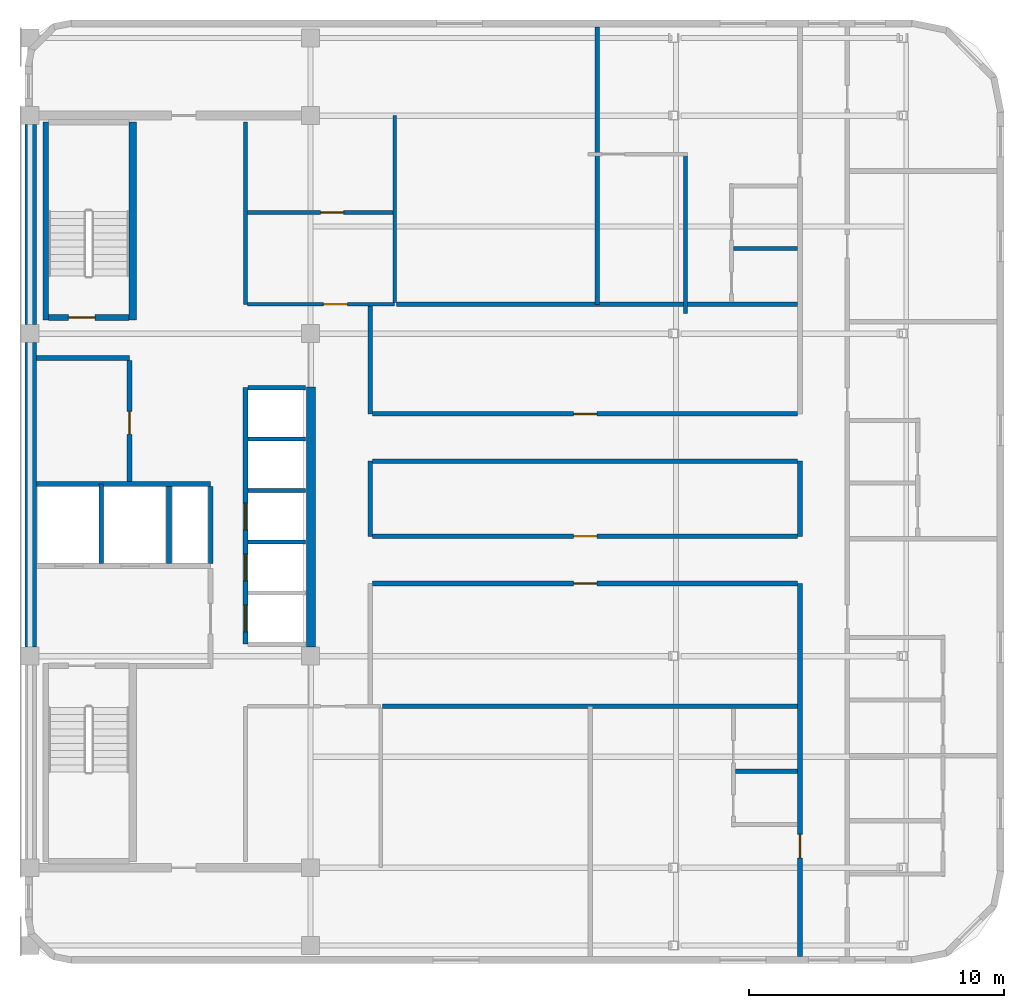
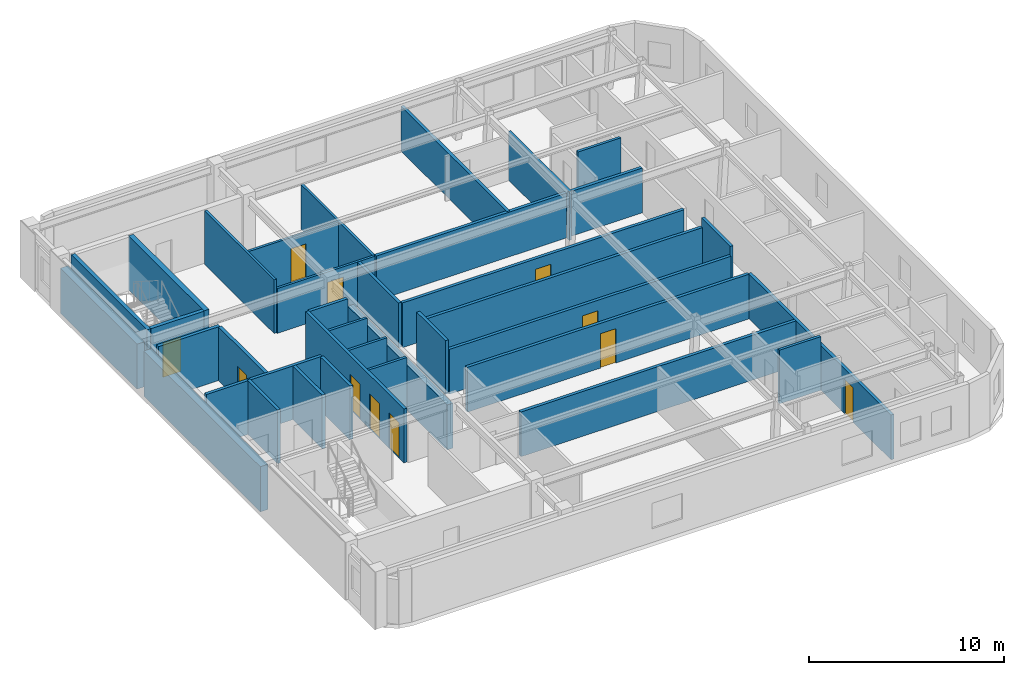
# One storey, part 3 of 6: 35 walls, 11 doors, 11 openings.
"""IFC4 building model written with IfcOpenShell, lengths in metres."""

from ifc_helpers import new_model, si_unit, direction, frame, frame_2d, origin, place, context, subcontext, project, spatial, rectangle, extrude, material, layer, layer_set, type_object, element, fill, save


model = new_model("IFC4")

# Units and contexts
model_context = context("Model", 3, precision=1e-05, world=origin(), true_north=direction((0.0, 1.0)))
body_context = subcontext(model_context, "Body", "Model", "MODEL_VIEW")
ifc_project = project(units=[si_unit("LENGTHUNIT", "METRE"), si_unit("AREAUNIT", "SQUARE_METRE"), si_unit("VOLUMEUNIT", "CUBIC_METRE"), si_unit("PLANEANGLEUNIT", "RADIAN"), si_unit("MASSUNIT", "GRAM", prefix="KILO")], contexts=[model_context])

# Site, building, storey
site_placement = place(None, origin())
site = spatial("IfcSite", under=ifc_project, at=site_placement, CompositionType="ELEMENT")
building_placement = place(site_placement, origin())
building = spatial("IfcBuilding", under=site, at=building_placement, Name="Ochreholt Gables", CompositionType="ELEMENT")
storey_placement = place(building_placement, frame((0.0, 0.0, 271.199951171875)))
storey = spatial("IfcBuildingStorey", under=building, at=storey_placement, Name="L71", CompositionType="ELEMENT", Elevation=271.199951171875)

# Walls
ifc_material_1 = material(Name="Concrete 50 MPa", Category="concrete")
ifc_layer_1 = layer(ifc_material_1, 0.35009765625, Name="Concrete 50 MPa")
ifc_layer_set_1 = layer_set([ifc_layer_1], Name="Concrete 50 MPa")
wall_type_1 = type_object("IfcWallType", Name="WALL-CSW-350", PredefinedType="SHEAR", material=ifc_layer_set_1)
wall_1_placement = place(storey_placement, frame((35.22509765625, 17.89990234375, 0.0), z_axis=(0.0, 0.0, 1.0), x_axis=(0.0, 1.0, 0.0)))
element("IfcWall", 1, at=wall_1_placement, inside=storey, type_object=wall_type_1, Name="L71 Core Central-East Shear Wall", PredefinedType="SHEAR", context=body_context, shape_type="SweptSolid", body=[
    extrude(rectangle(XDim=10.2001953125, YDim=0.35009765625, at=frame_2d((5.10009765625, 0.0))), origin(), (0.0, 0.0, 1.0), 2.821044921875),
])
ifc_layer_2 = layer(ifc_material_1, 0.449951171875, Name="Concrete 50 MPa")
ifc_layer_set_2 = layer_set([ifc_layer_2], Name="Concrete 50 MPa")
wall_type_2 = type_object("IfcWallType", Name="WALL-CSW-EXT", PredefinedType="SHEAR", material=ifc_layer_set_2)
wall_2_placement = place(storey_placement, frame((24.22509765625, 17.89990234375, 0.0), z_axis=(0.0, 0.0, 1.0), x_axis=(0.0, 1.0, 0.0)))
element("IfcWall", 2, at=wall_2_placement, inside=storey, type_object=wall_type_2, Name="L71 Core West Shear Wall WM", PredefinedType="SHEAR", context=body_context, shape_type="SweptSolid", body=[
    extrude(rectangle(XDim=11.9501953125, YDim=0.449951171875, at=frame_2d((5.97509765625, 0.0))), origin(), (0.0, 0.0, 1.0), 2.821044921875),
])
wall_3_placement = place(storey_placement, frame((24.22509765625, 30.550048828125, 0.0), z_axis=(0.0, 0.0, 1.0), x_axis=(0.0, 1.0, 0.0)))
element("IfcWall", 3, at=wall_3_placement, inside=storey, type_object=wall_type_2, Name="L71 Core West Shear Wall WN", PredefinedType="SHEAR", context=body_context, shape_type="SweptSolid", body=[
    extrude(rectangle(XDim=7.849853515625, YDim=0.449951171875, at=frame_2d((3.9248046875, 0.0))), origin(), (0.0, 0.0, 1.0), 2.821044921875),
])
ifc_material_2 = material(Name="Concrete 40 MPa", Category="concrete")
ifc_layer_3 = layer(ifc_material_2, 0.199951171875, Name="Concrete 40 MPa")
ifc_layer_set_3 = layer_set([ifc_layer_3], Name="Concrete 40 MPa")
wall_type_3 = type_object("IfcWallType", Name="WALL-INT-CF200", PredefinedType="STANDARD", material=ifc_layer_set_3)
wall_4_placement = place(storey_placement, frame((24.449951171875, 29.239990234375, 0.0), z_axis=(0.0, 0.0, 1.0), x_axis=(1.0, 0.0, 0.0)))
element("IfcWall", 4, at=wall_4_placement, inside=storey, type_object=wall_type_3, Name="L71 Interior Wall WI-SRVN-L71", PredefinedType="STANDARD", context=body_context, shape_type="SweptSolid", body=[
    extrude(rectangle(XDim=3.650146484375, YDim=0.199951171875, at=frame_2d((1.8251953125, 0.0))), origin(), (0.0, 0.0, 1.0), 3.360107421875),
])

# Wall, opening, door
wall_5_placement = place(storey_placement, frame((28.10009765625, 24.389892578125, 0.0), z_axis=(0.0, 0.0, 1.0), x_axis=(0.0, 1.0, 0.0)))
wall_5 = element("IfcWall", 5, at=wall_5_placement, inside=storey, type_object=wall_type_3, Name="L71 Interior Wall WI-SRVE-L71", PredefinedType="STANDARD", context=body_context, shape_type="SweptSolid", body=[
    extrude(rectangle(XDim=4.75, YDim=0.199951171875, at=frame_2d((2.375, 0.0))), origin(), (0.0, 0.0, 1.0), 3.360107421875),
])
opening_1_placement = place(wall_5_placement, frame((1.860107421875, 0.0, 0.0)))
opening_1 = element("IfcOpeningElement", 6, at=opening_1_placement, cuts=wall_5, Name="Opening D-SV1", PredefinedType="OPENING", context=body_context, shape_type="SweptSolid", body=[
    extrude(rectangle(XDim=0.89990234375, YDim=2.10009765625, at=frame_2d((0.449951171875, 1.050048828125))), frame((0.0, 0.10986328125, 0.0), z_axis=(0.0, -1.0, 0.0), x_axis=(1.0, 0.0, 0.0)), (0.0, 0.0, 1.0), 0.219970703125),
])
ifc_material_3 = material(Name="Hollow Metal Steel", Category="steel")
door_type_1 = type_object("IfcDoorType", Name="DR-INT-SRV900", OperationType="NOTDEFINED", PredefinedType="DOOR", material=ifc_material_3)
door_1_placement = place(opening_1_placement, origin())
door_1 = element("IfcDoor", 7, at=door_1_placement, inside=storey, type_object=door_type_1, Name="L71 Door D-SRV1-L71", OperationType="SINGLE_SWING_LEFT", OverallHeight=2.10009765625, OverallWidth=0.89990234375, PredefinedType="DOOR", context=body_context, shape_type="SweptSolid", body=[
    extrude(rectangle(XDim=0.89990234375, YDim=2.10009765625, at=frame_2d((0.449951171875, 1.050048828125))), frame((0.0, 0.02490234375, 0.0), z_axis=(0.0, -1.0, 0.0), x_axis=(1.0, 0.0, 0.0)), (0.0, 0.0, 1.0), 0.050048828125),
])
fill(opening_1, door_1)

# Walls
ifc_material_4 = material(Name="Fire-Rated Gypsum Acoustic Partition", Category="gypsum")
ifc_layer_4 = layer(ifc_material_4, 0.179931640625, Name="Fire-Rated Gypsum Acoustic Partition")
ifc_layer_set_4 = layer_set([ifc_layer_4], Name="Fire-Rated Gypsum Acoustic Partition")
wall_type_4 = type_object("IfcWallType", Name="WALL-INT-CR180", PredefinedType="STANDARD", material=ifc_layer_set_4)
wall_6_placement = place(storey_placement, frame((37.550048828125, 22.25, 0.0), z_axis=(0.0, 0.0, 1.0), x_axis=(0.0, 1.0, 0.0)))
element("IfcWall", 8, at=wall_6_placement, inside=storey, type_object=wall_type_4, Name="L71 Interior Wall WI-C3CE2-L71", PredefinedType="STANDARD", context=body_context, shape_type="SweptSolid", body=[
    extrude(rectangle(XDim=2.949951171875, YDim=0.179931640625, at=frame_2d((1.47509765625, 0.0))), origin(), (0.0, 0.0, 1.0), 3.360107421875),
])
wall_7_placement = place(storey_placement, frame((37.550048828125, 27.050048828125, 0.0), z_axis=(0.0, 0.0, 1.0), x_axis=(0.0, 1.0, 0.0)))
element("IfcWall", 9, at=wall_7_placement, inside=storey, type_object=wall_type_4, Name="L71 Interior Wall WI-C3CE4-L71", PredefinedType="STANDARD", context=body_context, shape_type="SweptSolid", body=[
    extrude(rectangle(XDim=4.2275390625, YDim=0.179931640625, at=frame_2d((2.11376953125, 0.0))), origin(), (0.0, 0.0, 1.0), 2.802978515625),
])

# Wall, opening, door
wall_8_placement = place(storey_placement, frame((54.39990234375, 5.77001953125, 0.0), z_axis=(0.0, 0.0, 1.0), x_axis=(0.0, 1.0, 0.0)))
wall_8 = element("IfcWall", 10, at=wall_8_placement, inside=storey, type_object=wall_type_4, Name="L71 Interior Wall WI-C3GW0-L71", PredefinedType="STANDARD", context=body_context, shape_type="SweptSolid", body=[
    extrude(rectangle(XDim=14.6298828125, YDim=0.179931640625, at=frame_2d((7.31494140625, 0.0))), origin(), (0.0, 0.0, 1.0), 2.802978515625),
])
opening_2_placement = place(wall_8_placement, frame((3.8701171875, 0.0, 0.0)))
opening_2 = element("IfcOpeningElement", 11, at=opening_2_placement, cuts=wall_8, Name="Opening D-UN1", PredefinedType="OPENING", context=body_context, shape_type="SweptSolid", body=[
    extrude(rectangle(XDim=0.919921875, YDim=2.14990234375, at=frame_2d((0.4599609375, 1.074951171875))), frame((0.0, 0.099853515625, 0.0), z_axis=(0.0, -1.0, 0.0), x_axis=(1.0, 0.0, 0.0)), (0.0, 0.0, 1.0), 0.199951171875),
])
ifc_material_5 = material(Name="Engineered Oak Timber", Category="wood")
door_type_2 = type_object("IfcDoorType", Name="DR-INT-UNT920", OperationType="NOTDEFINED", PredefinedType="DOOR", material=ifc_material_5)
door_2_placement = place(opening_2_placement, origin())
door_2 = element("IfcDoor", 12, at=door_2_placement, inside=storey, type_object=door_type_2, Name="L71 Door D-U-L71SM1-ENT", OperationType="SINGLE_SWING_LEFT", OverallHeight=2.14990234375, OverallWidth=0.919921875, PredefinedType="DOOR", context=body_context, shape_type="SweptSolid", body=[
    extrude(rectangle(XDim=0.919921875, YDim=2.14990234375, at=frame_2d((0.4599609375, 1.074951171875))), frame((0.0, 0.02490234375, 0.0), z_axis=(0.0, -1.0, 0.0), x_axis=(1.0, 0.0, 0.0)), (0.0, 0.0, 1.0), 0.050048828125),
])
fill(opening_2, door_2)

# Wall
wall_9_placement = place(storey_placement, frame((54.39990234375, 22.25, 0.0), z_axis=(0.0, 0.0, 1.0), x_axis=(0.0, 1.0, 0.0)))
element("IfcWall", 13, at=wall_9_placement, inside=storey, type_object=wall_type_4, Name="L71 Interior Wall WI-C3GW2-L71", PredefinedType="STANDARD", context=body_context, shape_type="SweptSolid", body=[
    extrude(rectangle(XDim=2.949951171875, YDim=0.179931640625, at=frame_2d((1.47509765625, 0.0))), origin(), (0.0, 0.0, 1.0), 3.360107421875),
])

# Wall, opening, door
wall_10_placement = place(storey_placement, frame((37.639892578125, 20.39990234375, 0.0), z_axis=(0.0, 0.0, 1.0), x_axis=(1.0, 0.0, 0.0)))
wall_10 = element("IfcWall", 14, at=wall_10_placement, inside=storey, type_object=wall_type_4, Name="L71 Interior Wall WI-C3BRS1-L71", PredefinedType="STANDARD", context=body_context, shape_type="SweptSolid", body=[
    extrude(rectangle(XDim=16.670166015625, YDim=0.179931640625, at=frame_2d((8.3349609375, 0.0))), origin(), (0.0, 0.0, 1.0), 2.802978515625),
])
opening_3_placement = place(wall_10_placement, frame((7.875, 0.0, 0.0)))
opening_3 = element("IfcOpeningElement", 15, at=opening_3_placement, cuts=wall_10, Name="Opening D-UN1", PredefinedType="OPENING", context=body_context, shape_type="SweptSolid", body=[
    extrude(rectangle(XDim=0.919921875, YDim=2.14990234375, at=frame_2d((0.4599609375, 1.074951171875))), frame((0.0, 0.099853515625, 0.0), z_axis=(0.0, -1.0, 0.0), x_axis=(1.0, 0.0, 0.0)), (0.0, 0.0, 1.0), 0.199951171875),
])
door_3_placement = place(opening_3_placement, origin())
door_3 = element("IfcDoor", 16, at=door_3_placement, inside=storey, type_object=door_type_2, Name="L71 Door D-U-L71SM2-ENT", OperationType="SINGLE_SWING_LEFT", OverallHeight=2.14990234375, OverallWidth=0.919921875, PredefinedType="DOOR", context=body_context, shape_type="SweptSolid", body=[
    extrude(rectangle(XDim=0.919921875, YDim=2.14990234375, at=frame_2d((0.4599609375, 1.074951171875))), frame((0.0, 0.02490234375, 0.0), z_axis=(0.0, -1.0, 0.0), x_axis=(1.0, 0.0, 0.0)), (0.0, 0.0, 1.0), 0.050048828125),
])
fill(opening_3, door_3)

wall_11_placement = place(storey_placement, frame((37.639892578125, 22.25, 0.0), z_axis=(0.0, 0.0, 1.0), x_axis=(1.0, 0.0, 0.0)))
wall_11 = element("IfcWall", 17, at=wall_11_placement, inside=storey, type_object=wall_type_4, Name="L71 Interior Wall WI-C3BRN1-L71", PredefinedType="STANDARD", context=body_context, shape_type="SweptSolid", body=[
    extrude(rectangle(XDim=16.670166015625, YDim=0.179931640625, at=frame_2d((8.3349609375, 0.0))), origin(), (0.0, 0.0, 1.0), 2.802978515625),
])
opening_4_placement = place(wall_11_placement, frame((7.875, 0.0, 0.0)))
opening_4 = element("IfcOpeningElement", 18, at=opening_4_placement, cuts=wall_11, Name="Opening D-UN1", PredefinedType="OPENING", context=body_context, shape_type="SweptSolid", body=[
    extrude(rectangle(XDim=0.919921875, YDim=2.14990234375, at=frame_2d((0.4599609375, 1.074951171875))), frame((0.0, 0.099853515625, 0.0), z_axis=(0.0, -1.0, 0.0), x_axis=(1.0, 0.0, 0.0)), (0.0, 0.0, 1.0), 0.199951171875),
])
door_4_placement = place(opening_4_placement, origin())
door_4 = element("IfcDoor", 19, at=door_4_placement, inside=storey, type_object=door_type_2, Name="L71 Door D-U-L71MC1-ENT", OperationType="SINGLE_SWING_LEFT", OverallHeight=2.14990234375, OverallWidth=0.919921875, PredefinedType="DOOR", context=body_context, shape_type="SweptSolid", body=[
    extrude(rectangle(XDim=0.919921875, YDim=2.14990234375, at=frame_2d((0.4599609375, 1.074951171875))), frame((0.0, 0.02490234375, 0.0), z_axis=(0.0, -1.0, 0.0), x_axis=(1.0, 0.0, 0.0)), (0.0, 0.0, 1.0), 0.050048828125),
])
fill(opening_4, door_4)

# Wall
wall_12_placement = place(storey_placement, frame((37.639892578125, 25.199951171875, 0.0), z_axis=(0.0, 0.0, 1.0), x_axis=(1.0, 0.0, 0.0)))
element("IfcWall", 20, at=wall_12_placement, inside=storey, type_object=wall_type_4, Name="L71 Interior Wall WI-C3BRS2-L71", PredefinedType="STANDARD", context=body_context, shape_type="SweptSolid", body=[
    extrude(rectangle(XDim=16.670166015625, YDim=0.179931640625, at=frame_2d((8.3349609375, 0.0))), origin(), (0.0, 0.0, 1.0), 2.802978515625),
])

# Wall, opening, door
wall_13_placement = place(storey_placement, frame((37.639892578125, 27.050048828125, 0.0), z_axis=(0.0, 0.0, 1.0), x_axis=(1.0, 0.0, 0.0)))
wall_13 = element("IfcWall", 21, at=wall_13_placement, inside=storey, type_object=wall_type_4, Name="L71 Interior Wall WI-C3BRN2-L71", PredefinedType="STANDARD", context=body_context, shape_type="SweptSolid", body=[
    extrude(rectangle(XDim=16.670166015625, YDim=0.179931640625, at=frame_2d((8.3349609375, 0.0))), origin(), (0.0, 0.0, 1.0), 2.802978515625),
])
opening_5_placement = place(wall_13_placement, frame((7.875, 0.0, 0.0)))
opening_5 = element("IfcOpeningElement", 22, at=opening_5_placement, cuts=wall_13, Name="Opening D-UN1", PredefinedType="OPENING", context=body_context, shape_type="SweptSolid", body=[
    extrude(rectangle(XDim=0.919921875, YDim=2.14990234375, at=frame_2d((0.4599609375, 1.074951171875))), frame((0.0, 0.099853515625, 0.0), z_axis=(0.0, -1.0, 0.0), x_axis=(1.0, 0.0, 0.0)), (0.0, 0.0, 1.0), 0.199951171875),
])
door_5_placement = place(opening_5_placement, origin())
door_5 = element("IfcDoor", 23, at=door_5_placement, inside=storey, type_object=door_type_2, Name="L71 Door D-U-L71NM1-ENT", OperationType="SINGLE_SWING_LEFT", OverallHeight=2.14990234375, OverallWidth=0.919921875, PredefinedType="DOOR", context=body_context, shape_type="SweptSolid", body=[
    extrude(rectangle(XDim=0.919921875, YDim=2.14990234375, at=frame_2d((0.4599609375, 1.074951171875))), frame((0.0, 0.02490234375, 0.0), z_axis=(0.0, -1.0, 0.0), x_axis=(1.0, 0.0, 0.0)), (0.0, 0.0, 1.0), 0.050048828125),
])
fill(opening_5, door_5)

# Walls
ifc_material_6 = material(Name="Double-Stud Acoustic Demising Wall", Category="gypsum")
ifc_layer_5 = layer(ifc_material_6, 0.18505859375, Name="Double-Stud Acoustic Demising Wall")
ifc_layer_set_5 = layer_set([ifc_layer_5], Name="Double-Stud Acoustic Demising Wall")
wall_type_5 = type_object("IfcWallType", Name="WALL-INT-DM185", PredefinedType="PARTITIONING", material=ifc_layer_set_5)
wall_14_placement = place(storey_placement, frame((46.449951171875, 31.35009765625, 0.0), z_axis=(0.0, 0.0, 1.0), x_axis=(0.0, 1.0, 0.0)))
element("IfcWall", 24, at=wall_14_placement, inside=storey, type_object=wall_type_5, Name="L71 Interior Wall WI-C3NMX-L71", PredefinedType="PARTITIONING", context=body_context, shape_type="SweptSolid", body=[
    extrude(rectangle(XDim=10.8798828125, YDim=0.18505859375, at=frame_2d((5.43994140625, 0.0))), origin(), (0.0, 0.0, 1.0), 2.802978515625),
])
wall_15_placement = place(storey_placement, frame((38.0224609375, 15.580078125, 0.0), z_axis=(0.0, 0.0, 1.0), x_axis=(1.0, 0.0, 0.0)))
element("IfcWall", 25, at=wall_15_placement, inside=storey, type_object=wall_type_5, Name="L71 Interior Wall WI-C3SMY-L71", PredefinedType="PARTITIONING", context=body_context, shape_type="SweptSolid", body=[
    extrude(rectangle(XDim=16.28759765625, YDim=0.18505859375, at=frame_2d((8.143798828125, 0.0))), origin(), (0.0, 0.0, 1.0), 2.802978515625),
])
wall_16_placement = place(storey_placement, frame((38.572509765625, 31.35009765625, 0.0), z_axis=(0.0, 0.0, 1.0), x_axis=(1.0, 0.0, 0.0)))
element("IfcWall", 26, at=wall_16_placement, inside=storey, type_object=wall_type_5, Name="L71 Interior Wall WI-C3NMY-L71", PredefinedType="PARTITIONING", context=body_context, shape_type="SweptSolid", body=[
    extrude(rectangle(XDim=15.737548828125, YDim=0.18505859375, at=frame_2d((7.86865234375, 0.0))), origin(), (0.0, 0.0, 1.0), 2.802978515625),
])
ifc_material_7 = material(Name="Moisture-Resistant Plumbing Chase Wall", Category="gypsum")
ifc_layer_6 = layer(ifc_material_7, 0.159912109375, Name="Moisture-Resistant Plumbing Chase Wall")
ifc_layer_set_6 = layer_set([ifc_layer_6], Name="Moisture-Resistant Plumbing Chase Wall")
wall_type_6 = type_object("IfcWallType", Name="WALL-INT-PL160", PredefinedType="PLUMBINGWALL", material=ifc_layer_set_6)
wall_17_placement = place(storey_placement, frame((51.864013671875, 13.032958984375, 0.0), z_axis=(0.0, 0.0, 1.0), x_axis=(1.0, 0.0, 0.0)))
element("IfcWall", 27, at=wall_17_placement, inside=storey, type_object=wall_type_6, Name="L71 Interior Wall WU-L71SM1-WM", PredefinedType="PLUMBINGWALL", context=body_context, shape_type="SweptSolid", body=[
    extrude(rectangle(XDim=2.446044921875, YDim=0.159912109375, at=frame_2d((1.22314453125, 0.0))), origin(), (0.0, 0.0, 1.0), 3.360107421875),
])
wall_18_placement = place(storey_placement, frame((51.7880859375, 33.532958984375, 0.0), z_axis=(0.0, 0.0, 1.0), x_axis=(1.0, 0.0, 0.0)))
element("IfcWall", 28, at=wall_18_placement, inside=storey, type_object=wall_type_6, Name="L71 Interior Wall WU-L71NM2-WM", PredefinedType="PLUMBINGWALL", context=body_context, shape_type="SweptSolid", body=[
    extrude(rectangle(XDim=2.52197265625, YDim=0.159912109375, at=frame_2d((1.260986328125, 0.0))), origin(), (0.0, 0.0, 1.0), 3.360107421875),
])
ifc_material_8 = material(Name="Lightweight Stud Partition", Category="gypsum")
ifc_layer_7 = layer(ifc_material_8, 0.14501953125, Name="Lightweight Stud Partition")
ifc_layer_set_7 = layer_set([ifc_layer_7], Name="Lightweight Stud Partition")
wall_type_7 = type_object("IfcWallType", Name="WALL-INT-PT145", PredefinedType="PARTITIONING", material=ifc_layer_set_7)
wall_19_placement = place(storey_placement, frame((32.64990234375, 31.35009765625, 0.0), z_axis=(0.0, 0.0, 1.0), x_axis=(0.0, 1.0, 0.0)))
element("IfcWall", 29, at=wall_19_placement, inside=storey, type_object=wall_type_7, Name="L71 Interior Wall WI-RCM-W-L71", PredefinedType="PARTITIONING", context=body_context, shape_type="SweptSolid", body=[
    extrude(rectangle(XDim=7.14990234375, YDim=0.14501953125, at=frame_2d((3.574951171875, 0.0))), origin(), (0.0, 0.0, 1.0), 3.360107421875),
])

# Wall, opening, door
wall_20_placement = place(storey_placement, frame((32.722412109375, 31.35009765625, 0.0), z_axis=(0.0, 0.0, 1.0), x_axis=(1.0, 0.0, 0.0)))
wall_20 = element("IfcWall", 30, at=wall_20_placement, inside=storey, type_object=wall_type_7, Name="L71 Interior Wall WI-RCM-S-L71", PredefinedType="PARTITIONING", context=body_context, shape_type="SweptSolid", body=[
    extrude(rectangle(XDim=5.777587890625, YDim=0.14501953125, at=frame_2d((2.888671875, 0.0))), origin(), (0.0, 0.0, 1.0), 2.802978515625),
])
opening_6_placement = place(wall_20_placement, frame((2.9775390625, 0.0, 0.0)))
opening_6 = element("IfcOpeningElement", 31, at=opening_6_placement, cuts=wall_20, Name="Opening D-GN1", PredefinedType="OPENING", context=body_context, shape_type="SweptSolid", body=[
    extrude(rectangle(XDim=0.949951171875, YDim=2.14990234375, at=frame_2d((0.47509765625, 1.074951171875))), frame((0.0, 0.08251953125, 0.0), z_axis=(0.0, -1.0, 0.0), x_axis=(1.0, 0.0, 0.0)), (0.0, 0.0, 1.0), 0.1650390625),
])
door_type_3 = type_object("IfcDoorType", Name="DR-INT-GEN950", OperationType="NOTDEFINED", PredefinedType="DOOR", material=ifc_material_5)
door_6_placement = place(opening_6_placement, origin())
door_6 = element("IfcDoor", 32, at=door_6_placement, inside=storey, type_object=door_type_3, Name="L71 Door D-RCM-L71", OperationType="SINGLE_SWING_RIGHT", OverallHeight=2.14990234375, OverallWidth=0.949951171875, PredefinedType="DOOR", context=body_context, shape_type="SweptSolid", body=[
    extrude(rectangle(XDim=0.949951171875, YDim=2.14990234375, at=frame_2d((0.47509765625, 1.074951171875))), frame((0.0, 0.02490234375, 0.0), z_axis=(0.0, -1.0, 0.0), x_axis=(1.0, 0.0, 0.0)), (0.0, 0.0, 1.0), 0.050048828125),
])
fill(opening_6, door_6)

# Wall
wall_21_placement = place(storey_placement, frame((38.5, 31.422607421875, 0.0), z_axis=(0.0, 0.0, 1.0), x_axis=(0.0, 1.0, 0.0)))
element("IfcWall", 33, at=wall_21_placement, inside=storey, type_object=wall_type_7, Name="L71 Interior Wall WI-RCM-E-L71", PredefinedType="PARTITIONING", context=body_context, shape_type="SweptSolid", body=[
    extrude(rectangle(XDim=7.327392578125, YDim=0.14501953125, at=frame_2d((3.66357421875, 0.0))), origin(), (0.0, 0.0, 1.0), 2.802978515625),
])

# Wall, opening, door
wall_22_placement = place(storey_placement, frame((32.722412109375, 34.949951171875, 0.0), z_axis=(0.0, 0.0, 1.0), x_axis=(1.0, 0.0, 0.0)))
wall_22 = element("IfcWall", 34, at=wall_22_placement, inside=storey, type_object=wall_type_7, Name="L71 Interior Wall WI-RCM-DV-L71", PredefinedType="PARTITIONING", context=body_context, shape_type="SweptSolid", body=[
    extrude(rectangle(XDim=5.705078125, YDim=0.14501953125, at=frame_2d((2.8525390625, 0.0))), origin(), (0.0, 0.0, 1.0), 2.802978515625),
])
opening_7_placement = place(wall_22_placement, frame((2.87744140625, 0.0, 0.0)))
opening_7 = element("IfcOpeningElement", 35, at=opening_7_placement, cuts=wall_22, Name="Opening D-SV1", PredefinedType="OPENING", context=body_context, shape_type="SweptSolid", body=[
    extrude(rectangle(XDim=0.89990234375, YDim=2.10009765625, at=frame_2d((0.449951171875, 1.050048828125))), frame((0.0, 0.08251953125, 0.0), z_axis=(0.0, -1.0, 0.0), x_axis=(1.0, 0.0, 0.0)), (0.0, 0.0, 1.0), 0.1650390625),
])
door_7_placement = place(opening_7_placement, origin())
door_7 = element("IfcDoor", 36, at=door_7_placement, inside=storey, type_object=door_type_1, Name="L71 Door D-RCMI-L71", OperationType="SINGLE_SWING_LEFT", OverallHeight=2.10009765625, OverallWidth=0.89990234375, PredefinedType="DOOR", context=body_context, shape_type="SweptSolid", body=[
    extrude(rectangle(XDim=0.89990234375, YDim=2.10009765625, at=frame_2d((0.449951171875, 1.050048828125))), frame((0.0, 0.02490234375, 0.0), z_axis=(0.0, -1.0, 0.0), x_axis=(1.0, 0.0, 0.0)), (0.0, 0.0, 1.0), 0.050048828125),
])
fill(opening_7, door_7)

# Walls
wall_23_placement = place(storey_placement, frame((49.907958984375, 30.989990234375, 0.0), z_axis=(0.0, 0.0, 1.0), x_axis=(0.0, 1.0, 0.0)))
element("IfcWall", 37, at=wall_23_placement, inside=storey, type_object=wall_type_7, Name="L71 Interior Wall WU-L71NM2-STW", PredefinedType="PARTITIONING", context=body_context, shape_type="SweptSolid", body=[
    extrude(rectangle(XDim=6.25, YDim=0.14501953125, at=frame_2d((3.125, 0.0))), origin(), (0.0, 0.0, 1.0), 3.0390625),
])
ifc_material_9 = material(Name="Gypsum Shaftliner and Steel Stud", Category="steel")
ifc_layer_8 = layer(ifc_material_9, 0.14990234375, Name="Gypsum Shaftliner and Steel Stud")
ifc_layer_set_8 = layer_set([ifc_layer_8], Name="Gypsum Shaftliner and Steel Stud")
wall_type_8 = type_object("IfcWallType", Name="WALL-INT-SH150", PredefinedType="STANDARD", material=ifc_layer_set_8)
for number, where, z_axis, x_axis, name in (
    (38, (32.739990234375, 22.02001953125, 0.0), (0.0, 0.0, 1.0), (1.0, 0.0, 0.0), "L71 Interior Wall WI-LFHE-DH2-L71"),
    (39, (32.739990234375, 24.050048828125, 0.0), (0.0, 0.0, 1.0), (1.0, 0.0, 0.0), "L71 Interior Wall WI-LFHE-DHE-L71"),
    (40, (32.739990234375, 26.070068359375, 0.0), (0.0, 0.0, 1.0), (1.0, 0.0, 0.0), "L71 Interior Wall WI-LFHE-DEX1-L71"),
):
    element("IfcWall", number, at=place(storey_placement, frame(where, z_axis=z_axis, x_axis=x_axis)), inside=storey, type_object=wall_type_8, Name=name, PredefinedType="STANDARD", context=body_context, shape_type="SweptSolid", body=[
        extrude(rectangle(XDim=2.260009765625, YDim=0.14990234375, at=frame_2d((1.1298828125, 0.0))), origin(), (0.0, 0.0, 1.0), 3.360107421875),
    ])
ifc_layer_9 = layer(ifc_material_9, 0.179931640625, Name="Gypsum Shaftliner and Steel Stud")
ifc_layer_set_9 = layer_set([ifc_layer_9], Name="Gypsum Shaftliner and Steel Stud")
wall_type_9 = type_object("IfcWallType", Name="WALL-INT-SH180", PredefinedType="STANDARD", material=ifc_layer_set_9)
wall_24_placement = place(storey_placement, frame((27.0, 21.18994140625, 0.0), z_axis=(0.0, 0.0, 1.0), x_axis=(0.0, 1.0, 0.0)))
element("IfcWall", 41, at=wall_24_placement, inside=storey, type_object=wall_type_9, Name="L71 Interior Wall WI-FFDIV-L71", PredefinedType="STANDARD", context=body_context, shape_type="SweptSolid", body=[
    extrude(rectangle(XDim=3.110107421875, YDim=0.179931640625, at=frame_2d((1.55517578125, 0.0))), origin(), (0.0, 0.0, 1.0), 3.360107421875),
])
wall_25_placement = place(storey_placement, frame((24.449951171875, 24.300048828125, 0.0), z_axis=(0.0, 0.0, 1.0), x_axis=(1.0, 0.0, 0.0)))
element("IfcWall", 42, at=wall_25_placement, inside=storey, type_object=wall_type_9, Name="L71 Interior Wall WI-FFBK-L71", PredefinedType="STANDARD", context=body_context, shape_type="SweptSolid", body=[
    extrude(rectangle(XDim=6.830078125, YDim=0.179931640625, at=frame_2d((3.4150390625, 0.0))), origin(), (0.0, 0.0, 1.0), 3.360107421875),
])
for number, where, z_axis, x_axis, name in (
    (43, (29.64990234375, 21.18994140625, 0.0), (0.0, 0.0, 1.0), (0.0, 1.0, 0.0), "L71 Interior Wall WI-FFSH-L71"),
    (44, (31.280029296875, 21.18994140625, 0.0), (0.0, 0.0, 1.0), (0.0, 1.0, 0.0), "L71 Interior Wall WI-RSE-L71"),
):
    element("IfcWall", number, at=place(storey_placement, frame(where, z_axis=z_axis, x_axis=x_axis)), inside=storey, type_object=wall_type_9, Name=name, PredefinedType="STANDARD", context=body_context, shape_type="SweptSolid", body=[
        extrude(rectangle(XDim=3.02001953125, YDim=0.179931640625, at=frame_2d((1.510009765625, 0.0))), origin(), (0.0, 0.0, 1.0), 3.360107421875),
    ])

# Wall, openings, doors
wall_26_placement = place(storey_placement, frame((32.64990234375, 18.02001953125, 0.0), z_axis=(0.0, 0.0, 1.0), x_axis=(0.0, 1.0, 0.0)))
wall_26 = element("IfcWall", 45, at=wall_26_placement, inside=storey, type_object=wall_type_9, Name="L71 Interior Wall WI-LFHE-FR-L71", PredefinedType="STANDARD", context=body_context, shape_type="SweptSolid", body=[
    extrude(rectangle(XDim=10.06005859375, YDim=0.179931640625, at=frame_2d((5.030029296875, 0.0))), origin(), (0.0, 0.0, 1.0), 3.360107421875),
])
opening_8_placement = place(wall_26_placement, frame((0.47998046875, 0.0, 0.0)))
opening_8 = element("IfcOpeningElement", 46, at=opening_8_placement, cuts=wall_26, Name="Opening LD-PX", PredefinedType="OPENING", context=body_context, shape_type="SweptSolid", body=[
    extrude(rectangle(XDim=1.050048828125, YDim=2.199951171875, at=frame_2d((0.52490234375, 1.10009765625))), frame((0.0, 0.099853515625, 0.0), z_axis=(0.0, -1.0, 0.0), x_axis=(1.0, 0.0, 0.0)), (0.0, 0.0, 1.0), 0.199951171875),
])
opening_9_placement = place(wall_26_placement, frame((2.47998046875, 0.0, 0.0)))
opening_9 = element("IfcOpeningElement", 47, at=opening_9_placement, cuts=wall_26, Name="Opening LD-PX", PredefinedType="OPENING", context=body_context, shape_type="SweptSolid", body=[
    extrude(rectangle(XDim=1.050048828125, YDim=2.199951171875, at=frame_2d((0.52490234375, 1.10009765625))), frame((0.0, 0.099853515625, 0.0), z_axis=(0.0, -1.0, 0.0), x_axis=(1.0, 0.0, 0.0)), (0.0, 0.0, 1.0), 0.199951171875),
])
opening_10_placement = place(wall_26_placement, frame((4.47998046875, 0.0, 0.0)))
opening_10 = element("IfcOpeningElement", 48, at=opening_10_placement, cuts=wall_26, Name="Opening LD-PX", PredefinedType="OPENING", context=body_context, shape_type="SweptSolid", body=[
    extrude(rectangle(XDim=1.050048828125, YDim=2.199951171875, at=frame_2d((0.52490234375, 1.10009765625))), frame((0.0, 0.099853515625, 0.0), z_axis=(0.0, -1.0, 0.0), x_axis=(1.0, 0.0, 0.0)), (0.0, 0.0, 1.0), 0.199951171875),
])
ifc_material_10 = material(Name="Stainless Steel", Category="steel")
door_type_4 = type_object("IfcDoorType", Name="DR-LFT-PX1050", OperationType="NOTDEFINED", PredefinedType="DOOR", material=ifc_material_10)
door_8_placement = place(opening_8_placement, origin())
door_8 = element("IfcDoor", 49, at=door_8_placement, inside=storey, type_object=door_type_4, Name="L71 Door LD-LF-H1-L71", OperationType="SLIDING_TO_LEFT", OverallHeight=2.199951171875, OverallWidth=1.050048828125, PredefinedType="DOOR", context=body_context, shape_type="SweptSolid", body=[
    extrude(rectangle(XDim=1.050048828125, YDim=2.199951171875, at=frame_2d((0.52490234375, 1.10009765625))), frame((0.0, 0.02490234375, 0.0), z_axis=(0.0, -1.0, 0.0), x_axis=(1.0, 0.0, 0.0)), (0.0, 0.0, 1.0), 0.050048828125),
])
fill(opening_8, door_8)
door_9_placement = place(opening_9_placement, origin())
door_9 = element("IfcDoor", 50, at=door_9_placement, inside=storey, type_object=door_type_4, Name="L71 Door LD-LF-H2-L71", OperationType="SLIDING_TO_LEFT", OverallHeight=2.199951171875, OverallWidth=1.050048828125, PredefinedType="DOOR", context=body_context, shape_type="SweptSolid", body=[
    extrude(rectangle(XDim=1.050048828125, YDim=2.199951171875, at=frame_2d((0.52490234375, 1.10009765625))), frame((0.0, 0.02490234375, 0.0), z_axis=(0.0, -1.0, 0.0), x_axis=(1.0, 0.0, 0.0)), (0.0, 0.0, 1.0), 0.050048828125),
])
fill(opening_9, door_9)
door_10_placement = place(opening_10_placement, origin())
door_10 = element("IfcDoor", 51, at=door_10_placement, inside=storey, type_object=door_type_4, Name="L71 Door LD-LF-H3-L71", OperationType="SLIDING_TO_LEFT", OverallHeight=2.199951171875, OverallWidth=1.050048828125, PredefinedType="DOOR", context=body_context, shape_type="SweptSolid", body=[
    extrude(rectangle(XDim=1.050048828125, YDim=2.199951171875, at=frame_2d((0.52490234375, 1.10009765625))), frame((0.0, 0.02490234375, 0.0), z_axis=(0.0, -1.0, 0.0), x_axis=(1.0, 0.0, 0.0)), (0.0, 0.0, 1.0), 0.050048828125),
])
fill(opening_10, door_10)

# Walls
wall_27_placement = place(storey_placement, frame((32.739990234375, 28.080078125, 0.0), z_axis=(0.0, 0.0, 1.0), x_axis=(1.0, 0.0, 0.0)))
element("IfcWall", 52, at=wall_27_placement, inside=storey, type_object=wall_type_9, Name="L71 Interior Wall WI-LFHE-N-L71", PredefinedType="STANDARD", context=body_context, shape_type="SweptSolid", body=[
    extrude(rectangle(XDim=2.260009765625, YDim=0.179931640625, at=frame_2d((1.1298828125, 0.0))), origin(), (0.0, 0.0, 1.0), 3.360107421875),
])
ifc_material_11 = material(Name="Concrete 60 MPa", Category="concrete")
ifc_layer_10 = layer(ifc_material_11, 0.300048828125, Name="Concrete 60 MPa")
ifc_layer_set_10 = layer_set([ifc_layer_10], Name="Concrete 60 MPa")
wall_type_10 = type_object("IfcWallType", Name="WALL-SPN-300", PredefinedType="SHEAR", material=ifc_layer_set_10)
wall_28_placement = place(storey_placement, frame((28.22998046875, 30.739990234375, 0.0), z_axis=(0.0, 0.0, 1.0), x_axis=(0.0, 1.0, 0.0)))
element("IfcWall", 53, at=wall_28_placement, inside=storey, type_object=wall_type_10, Name="L71 Core North Spine Shear Wall", PredefinedType="SHEAR", context=body_context, shape_type="SweptSolid", body=[
    extrude(rectangle(XDim=7.760009765625, YDim=0.300048828125, at=frame_2d((3.8798828125, 0.0))), origin(), (0.0, 0.0, 1.0), 3.360107421875),
])
ifc_layer_11 = layer(ifc_material_1, 0.219970703125, Name="Concrete 50 MPa")
ifc_layer_set_11 = layer_set([ifc_layer_11], Name="Concrete 50 MPa")
wall_type_11 = type_object("IfcWallType", Name="WALL-STW-220", PredefinedType="SHEAR", material=ifc_layer_set_11)
wall_29_placement = place(storey_placement, frame((24.81005859375, 30.739990234375, 0.0), z_axis=(0.0, 0.0, 1.0), x_axis=(0.0, 1.0, 0.0)))
element("IfcWall", 54, at=wall_29_placement, inside=storey, type_object=wall_type_11, Name="L71 Exit Stair 2 West Wall", PredefinedType="SHEAR", context=body_context, shape_type="SweptSolid", body=[
    extrude(rectangle(XDim=7.760009765625, YDim=0.219970703125, at=frame_2d((3.8798828125, 0.0))), origin(), (0.0, 0.0, 1.0), 3.360107421875),
])

# Wall, opening, door
wall_30_placement = place(storey_placement, frame((24.919921875, 30.830078125, 0.0), z_axis=(0.0, 0.0, 1.0), x_axis=(1.0, 0.0, 0.0)))
wall_30 = element("IfcWall", 55, at=wall_30_placement, inside=storey, type_object=wall_type_11, Name="L71 Exit Stair 2 South Wall", PredefinedType="SHEAR", context=body_context, shape_type="SweptSolid", body=[
    extrude(rectangle(XDim=3.16015625, YDim=0.219970703125, at=frame_2d((1.580078125, 0.0))), origin(), (0.0, 0.0, 1.0), 3.360107421875),
])
opening_11_placement = place(wall_30_placement, frame((0.780029296875, 0.0, 0.0)))
opening_11 = element("IfcOpeningElement", 56, at=opening_11_placement, cuts=wall_30, Name="Opening D-STC", PredefinedType="OPENING", context=body_context, shape_type="SweptSolid", body=[
    extrude(rectangle(XDim=1.050048828125, YDim=2.14990234375, at=frame_2d((0.52490234375, 1.074951171875))), frame((0.0, 0.119873046875, 0.0), z_axis=(0.0, -1.0, 0.0), x_axis=(1.0, 0.0, 0.0)), (0.0, 0.0, 1.0), 0.239990234375),
])
door_type_5 = type_object("IfcDoorType", Name="DR-INT-ST1050", OperationType="NOTDEFINED", PredefinedType="DOOR", material=ifc_material_3)
door_11_placement = place(opening_11_placement, origin())
door_11 = element("IfcDoor", 57, at=door_11_placement, inside=storey, type_object=door_type_5, Name="L71 Door D-ST2-L71", OperationType="SINGLE_SWING_RIGHT", OverallHeight=2.14990234375, OverallWidth=1.050048828125, PredefinedType="DOOR", context=body_context, shape_type="SweptSolid", body=[
    extrude(rectangle(XDim=1.050048828125, YDim=2.14990234375, at=frame_2d((0.52490234375, 1.074951171875))), frame((0.0, 0.02490234375, 0.0), z_axis=(0.0, -1.0, 0.0), x_axis=(1.0, 0.0, 0.0)), (0.0, 0.0, 1.0), 0.050048828125),
])
fill(opening_11, door_11)

save(model, "model.ifc")
